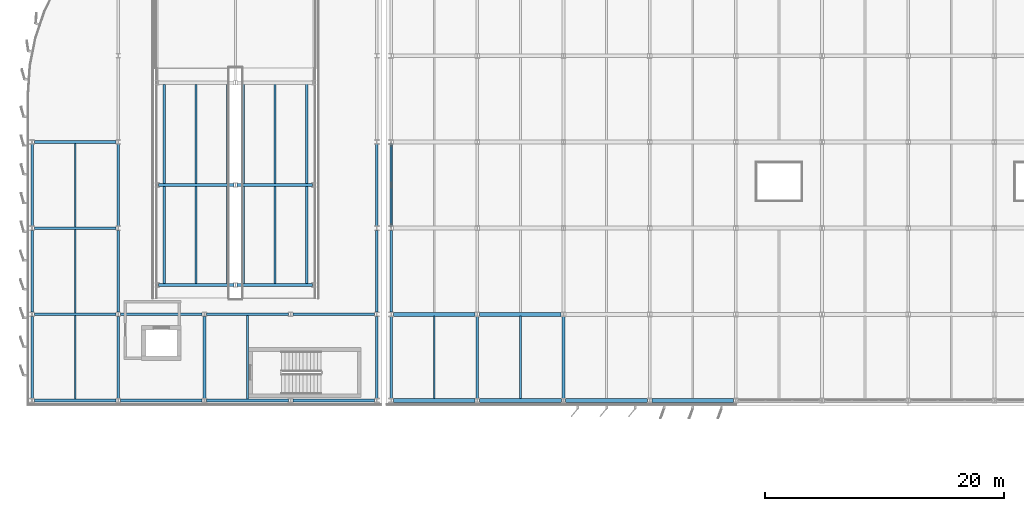
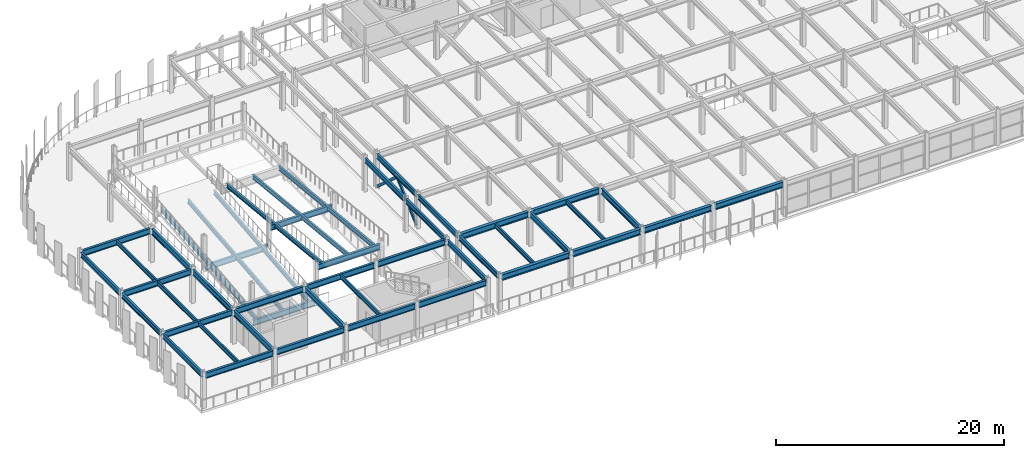
# One storey, part 16 of 80: 47 beams, 2 members.
"""IFC4 building model written with IfcOpenShell, lengths in metres."""

from ifc_helpers import new_model, si_unit, direction, frame, origin, origin_2d, place, context, subcontext, project, spatial, hollow_rectangle, i_section, extrude, material, material_profile, profile_set, type_object, element, save


model = new_model("IFC4")

# Units and contexts
model_context = context("Model", 3, precision=1e-05, world=origin(), true_north=direction((0.0, 1.0)))
body_context = subcontext(model_context, "Body", "Model", "MODEL_VIEW")
ifc_project = project(units=[si_unit("LENGTHUNIT", "METRE"), si_unit("AREAUNIT", "SQUARE_METRE"), si_unit("VOLUMEUNIT", "CUBIC_METRE"), si_unit("PLANEANGLEUNIT", "RADIAN"), si_unit("MASSUNIT", "GRAM", prefix="KILO")], contexts=[model_context])

# Site, building, storey
site_placement = place(None, origin())
site = spatial("IfcSite", under=ifc_project, at=site_placement, CompositionType="ELEMENT")
building_placement = place(site_placement, origin())
building = spatial("IfcBuilding", under=site, at=building_placement, Name="Vaelcorin Mobility Hub", CompositionType="ELEMENT")
storey_placement = place(building_placement, frame((0.0, 0.0, 9.300048828125)))
storey = spatial("IfcBuildingStorey", under=building, at=storey_placement, Name="L02", CompositionType="ELEMENT", Elevation=9.300048828125)

# Beams
ifc_material_1 = material(Name="Steel ASTM A992 Grade 50", Category="steel")
ifc_material_profile_1 = material_profile(ifc_material_1, i_section(OverallWidth=0.152099609375, OverallDepth=0.455078125, WebThickness=0.008056640625, FlangeThickness=0.01318359375, FilletRadius=0.012939453125, at=origin_2d()), Name="W18X40")
ifc_profile_set_1 = profile_set([ifc_material_profile_1], Name="Steel ASTM A992 Grade 50")
beam_type_1 = type_object("IfcBeamType", Name="BM-W18X40", PredefinedType="JOIST", material=ifc_profile_set_1)
for number, where, z_axis, x_axis, name in (
    (1, (9.60009765625, 76.912109375, 3.421875), (0.0, 1.0, 0.0), (-1.0, 0.0, 0.0), "L02 Beam V2W-L02-J-01-01-1"),
    (2, (9.60009765625, 84.112060546875, 3.421875), (0.0, 1.0, 0.0), (-1.0, 0.0, 0.0), "L02 Beam V2W-L02-J-01-02-1"),
):
    element("IfcBeam", number, at=place(storey_placement, frame(where, z_axis=z_axis, x_axis=x_axis)), inside=storey, type_object=beam_type_1, Name=name, PredefinedType="JOIST", context=body_context, shape_type="SweptSolid", body=[
        extrude(i_section(OverallWidth=0.152099609375, OverallDepth=0.455078125, WebThickness=0.008056640625, FlangeThickness=0.01318359375, FilletRadius=0.012939453125, at=origin_2d()), origin(), (0.0, 0.0, 1.0), 6.975830078125),
    ])
beam_1_placement = place(storey_placement, frame((9.60009765625, 91.31201171875, 3.421875), z_axis=(0.0, 1.0, 0.0), x_axis=(-1.0, 0.0, 0.0)))
element("IfcBeam", 3, at=beam_1_placement, inside=storey, type_object=beam_type_1, Name="L02 Beam V2W-L02-J-01-03-1", PredefinedType="JOIST", context=body_context, shape_type="SweptSolid", body=[
    extrude(i_section(OverallWidth=0.152099609375, OverallDepth=0.455078125, WebThickness=0.008056640625, FlangeThickness=0.01318359375, FilletRadius=0.012939453125, at=origin_2d()), origin(), (0.0, 0.0, 1.0), 6.97607421875),
])
beam_2_placement = place(storey_placement, frame((24.0, 76.912109375, 3.421875), z_axis=(0.0, 1.0, 0.0), x_axis=(-1.0, 0.0, 0.0)))
element("IfcBeam", 4, at=beam_2_placement, inside=storey, type_object=beam_type_1, Name="L02 Beam V2W-L02-J-03-01-1", PredefinedType="JOIST", context=body_context, shape_type="SweptSolid", body=[
    extrude(i_section(OverallWidth=0.152099609375, OverallDepth=0.455078125, WebThickness=0.008056640625, FlangeThickness=0.01318359375, FilletRadius=0.012939453125, at=origin_2d()), origin(), (0.0, 0.0, 1.0), 6.975830078125),
])
ifc_material_profile_2 = material_profile(ifc_material_1, i_section(OverallWidth=0.154052734375, OverallDepth=0.45703125, WebThickness=0.009033203125, FlangeThickness=0.015380859375, FilletRadius=0.012939453125, at=origin_2d()), Name="W18X46")
ifc_profile_set_2 = profile_set([ifc_material_profile_2], Name="Steel ASTM A992 Grade 50")
beam_type_2 = type_object("IfcBeamType", Name="BM-W18X46", PredefinedType="JOIST", material=ifc_profile_set_2)
for number, where, z_axis, x_axis, name in (
    (5, (39.60009765625, 76.9599609375, 3.4619140625), (0.0, 1.0, 0.0), (-1.0, 0.0, 0.0), "L02 Beam V4-L02-J-01-01-1"),
    (6, (46.800048828125, 76.9599609375, 3.4619140625), (0.0, 1.0, 0.0), (-1.0, 0.0, 0.0), "L02 Beam V4-L02-J-02-01-1"),
):
    element("IfcBeam", number, at=place(storey_placement, frame(where, z_axis=z_axis, x_axis=x_axis)), inside=storey, type_object=beam_type_2, Name=name, PredefinedType="JOIST", context=body_context, shape_type="SweptSolid", body=[
        extrude(i_section(OverallWidth=0.154052734375, OverallDepth=0.45703125, WebThickness=0.009033203125, FlangeThickness=0.015380859375, FilletRadius=0.012939453125, at=origin_2d()), origin(), (0.0, 0.0, 1.0), 6.880126953125),
    ])
ifc_material_profile_3 = material_profile(ifc_material_1, i_section(OverallWidth=0.19091796875, OverallDepth=0.4599609375, WebThickness=0.010009765625, FlangeThickness=0.01611328125, FilletRadius=0.012939453125, at=origin_2d()), Name="W18X55")
ifc_profile_set_3 = profile_set([ifc_material_profile_3], Name="Steel ASTM A992 Grade 50")
beam_type_3 = type_object("IfcBeamType", Name="BM-W18X55", PredefinedType="JOIST", material=ifc_profile_set_3)
for number, where, z_axis, x_axis, name in (
    (7, (17.050048828125, 86.56005859375, -0.39111328125), (0.0, 0.994870153846, 0.101160155132), (-1.0, 0.0, 0.0), "Vehicle Ramp VR-1 L02 Flight 1 Stringer 1"),
    (8, (19.699951171875, 86.56005859375, -0.39111328125), (0.0, 0.994870153846, 0.101160155132), (-1.0, 0.0, 0.0), "Vehicle Ramp VR-1 L02 Flight 1 Stringer 2"),
    (9, (22.35009765625, 86.56005859375, -0.39111328125), (0.0, 0.994870153846, 0.101160155132), (-1.0, 0.0, 0.0), "Vehicle Ramp VR-1 L02 Flight 1 Stringer 3"),
    (10, (23.64990234375, 103.239990234375, 1.570068359375), (0.0, -0.994877478828, 0.101088090895), (1.0, 0.0, 0.0), "Vehicle Ramp VR-1 L02 Flight 2 Stringer 1"),
    (11, (26.300048828125, 103.239990234375, 1.570068359375), (0.0, -0.994877478828, 0.101088090895), (1.0, 0.0, 0.0), "Vehicle Ramp VR-1 L02 Flight 2 Stringer 2"),
    (12, (28.949951171875, 103.239990234375, 1.570068359375), (0.0, -0.994877478828, 0.101088090895), (1.0, 0.0, 0.0), "Vehicle Ramp VR-1 L02 Flight 2 Stringer 3"),
):
    element("IfcBeam", number, at=place(storey_placement, frame(where, z_axis=z_axis, x_axis=x_axis)), inside=storey, type_object=beam_type_3, Name=name, PredefinedType="JOIST", context=body_context, shape_type="SweptSolid", body=[
        extrude(i_section(OverallWidth=0.19091796875, OverallDepth=0.4599609375, WebThickness=0.010009765625, FlangeThickness=0.01611328125, FilletRadius=0.012939453125, at=origin_2d()), origin(), (0.0, 0.0, 1.0), 16.765869140625),
    ])
ifc_material_profile_4 = material_profile(ifc_material_1, i_section(OverallWidth=0.2099609375, OverallDepth=0.535888671875, WebThickness=0.010986328125, FlangeThickness=0.017333984375, FilletRadius=0.013916015625, at=origin_2d()), Name="W21X68")
ifc_profile_set_4 = profile_set([ifc_material_profile_4], Name="Steel ASTM A992 Grade 50")
beam_type_4 = type_object("IfcBeamType", Name="BM-W21X68", PredefinedType="SPANDREL", material=ifc_profile_set_4)
for number, where, z_axis, x_axis, name in (
    (13, (36.0, 76.98388671875, 3.421875), (0.0, 1.0, 0.0), (-1.0, 0.0, 0.0), "L02 Beam V4-L02-GY-01-01"),
    (14, (36.0, 84.18798828125, 3.421875), (0.0, 1.0, 0.0), (-1.0, 0.0, 0.0), "L02 Beam V4-L02-GY-01-02"),
):
    element("IfcBeam", number, at=place(storey_placement, frame(where, z_axis=z_axis, x_axis=x_axis)), inside=storey, type_object=beam_type_4, Name=name, PredefinedType="SPANDREL", context=body_context, shape_type="SweptSolid", body=[
        extrude(i_section(OverallWidth=0.2099609375, OverallDepth=0.535888671875, WebThickness=0.010986328125, FlangeThickness=0.017333984375, FilletRadius=0.013916015625, at=origin_2d()), origin(), (0.0, 0.0, 1.0), 6.828125),
    ])
beam_3_placement = place(storey_placement, frame((36.0, 91.384033203125, 3.421875), z_axis=(0.0, 1.0, 0.0), x_axis=(-1.0, 0.0, 0.0)))
element("IfcBeam", 15, at=beam_3_placement, inside=storey, type_object=beam_type_4, Name="L02 Beam V4-L02-GY-01-03", PredefinedType="SPANDREL", context=body_context, shape_type="SweptSolid", body=[
    extrude(i_section(OverallWidth=0.2099609375, OverallDepth=0.535888671875, WebThickness=0.010986328125, FlangeThickness=0.017333984375, FilletRadius=0.013916015625, at=origin_2d()), origin(), (0.0, 0.0, 1.0), 6.83203125),
])
for number, where, z_axis, x_axis, name in (
    (16, (6.0, 76.97998046875, 3.3818359375), (0.0, 1.0, 0.0), (-1.0, 0.0, 0.0), "L02 Beam V2W-L02-GY-01-01"),
    (17, (6.0, 84.179931640625, 3.3818359375), (0.0, 1.0, 0.0), (-1.0, 0.0, 0.0), "L02 Beam V2W-L02-GY-01-02"),
    (18, (6.0, 91.3798828125, 3.3818359375), (0.0, 1.0, 0.0), (-1.0, 0.0, 0.0), "L02 Beam V2W-L02-GY-01-03"),
    (19, (34.800048828125, 76.97998046875, 3.3818359375), (0.0, 1.0, 0.0), (-1.0, 0.0, 0.0), "L02 Beam V2W-L02-GY-05-01"),
    (20, (34.800048828125, 84.179931640625, 3.3818359375), (0.0, 1.0, 0.0), (-1.0, 0.0, 0.0), "L02 Beam V2W-L02-GY-05-02"),
    (21, (34.800048828125, 91.3798828125, 3.3818359375), (0.0, 1.0, 0.0), (-1.0, 0.0, 0.0), "L02 Beam V2W-L02-GY-05-03"),
):
    element("IfcBeam", number, at=place(storey_placement, frame(where, z_axis=z_axis, x_axis=x_axis)), inside=storey, type_object=beam_type_4, Name=name, PredefinedType="SPANDREL", context=body_context, shape_type="SweptSolid", body=[
        extrude(i_section(OverallWidth=0.2099609375, OverallDepth=0.535888671875, WebThickness=0.010986328125, FlangeThickness=0.017333984375, FilletRadius=0.013916015625, at=origin_2d()), origin(), (0.0, 0.0, 1.0), 6.840087890625),
    ])
ifc_material_profile_5 = material_profile(ifc_material_1, i_section(OverallWidth=0.324951171875, OverallDepth=0.612060546875, WebThickness=0.0126953125, FlangeThickness=0.01904296875, FilletRadius=0.014892578125, at=origin_2d()), Name="W24X104")
ifc_profile_set_5 = profile_set([ifc_material_profile_5], Name="Steel ASTM A992 Grade 50")
beam_type_5 = type_object("IfcBeamType", Name="BM-W24X104", PredefinedType="BEAM", material=ifc_profile_set_5)
for number, where, z_axis, x_axis, name in (
    (22, (36.18408203125, 76.800048828125, 3.384033203125), (1.0, 0.0, 0.0), (0.0, 1.0, 0.0), "L02 Beam V4-L02-GX-01-01"),
    (23, (43.384033203125, 76.800048828125, 3.384033203125), (1.0, 0.0, 0.0), (0.0, 1.0, 0.0), "L02 Beam V4-L02-GX-01-02"),
    (24, (50.583984375, 76.800048828125, 3.384033203125), (1.0, 0.0, 0.0), (0.0, 1.0, 0.0), "L02 Beam V4-L02-GX-01-03"),
    (25, (57.783935546875, 76.800048828125, 3.384033203125), (1.0, 0.0, 0.0), (0.0, 1.0, 0.0), "L02 Beam V4-L02-GX-01-04"),
):
    element("IfcBeam", number, at=place(storey_placement, frame(where, z_axis=z_axis, x_axis=x_axis)), inside=storey, type_object=beam_type_5, Name=name, PredefinedType="BEAM", context=body_context, shape_type="SweptSolid", body=[
        extrude(i_section(OverallWidth=0.324951171875, OverallDepth=0.612060546875, WebThickness=0.0126953125, FlangeThickness=0.01904296875, FilletRadius=0.014892578125, at=origin_2d()), origin(), (0.0, 0.0, 1.0), 6.83203125),
    ])
beam_4_placement = place(storey_placement, frame((36.196044921875, 84.0, 3.384033203125), z_axis=(1.0, 0.0, 0.0), x_axis=(0.0, 1.0, 0.0)))
element("IfcBeam", 26, at=beam_4_placement, inside=storey, type_object=beam_type_5, Name="L02 Beam V4-L02-GX-02-01", PredefinedType="BEAM", context=body_context, shape_type="SweptSolid", body=[
    extrude(i_section(OverallWidth=0.324951171875, OverallDepth=0.612060546875, WebThickness=0.0126953125, FlangeThickness=0.01904296875, FilletRadius=0.014892578125, at=origin_2d()), origin(), (0.0, 0.0, 1.0), 6.807861328125),
])
beam_5_placement = place(storey_placement, frame((43.39599609375, 84.0, 3.384033203125), z_axis=(1.0, 0.0, 0.0), x_axis=(0.0, 1.0, 0.0)))
element("IfcBeam", 27, at=beam_5_placement, inside=storey, type_object=beam_type_5, Name="L02 Beam V4-L02-GX-02-02", PredefinedType="BEAM", context=body_context, shape_type="SweptSolid", body=[
    extrude(i_section(OverallWidth=0.324951171875, OverallDepth=0.612060546875, WebThickness=0.0126953125, FlangeThickness=0.01904296875, FilletRadius=0.014892578125, at=origin_2d()), origin(), (0.0, 0.0, 1.0), 6.80810546875),
])
ifc_material_profile_6 = material_profile(ifc_material_1, i_section(OverallWidth=0.22802734375, OverallDepth=0.60205078125, WebThickness=0.010498046875, FlangeThickness=0.014892578125, FilletRadius=0.014892578125, at=origin_2d()), Name="W24X68")
ifc_profile_set_6 = profile_set([ifc_material_profile_6], Name="Steel ASTM A992 Grade 50")
beam_type_6 = type_object("IfcBeamType", Name="BM-W24X68", PredefinedType="SPANDREL", material=ifc_profile_set_6)
for number, where, z_axis, x_axis, name in (
    (28, (6.18408203125, 76.800048828125, 3.348876953125), (1.0, 0.0, 0.0), (0.0, 1.0, 0.0), "L02 Beam V2W-L02-GX-01-01"),
    (29, (13.384033203125, 76.800048828125, 3.348876953125), (1.0, 0.0, 0.0), (0.0, 1.0, 0.0), "L02 Beam V2W-L02-GX-01-02"),
):
    element("IfcBeam", number, at=place(storey_placement, frame(where, z_axis=z_axis, x_axis=x_axis)), inside=storey, type_object=beam_type_6, Name=name, PredefinedType="SPANDREL", context=body_context, shape_type="SweptSolid", body=[
        extrude(i_section(OverallWidth=0.22802734375, OverallDepth=0.60205078125, WebThickness=0.010498046875, FlangeThickness=0.014892578125, FilletRadius=0.014892578125, at=origin_2d()), origin(), (0.0, 0.0, 1.0), 6.83203125),
    ])
beam_6_placement = place(storey_placement, frame((20.5830078125, 76.800048828125, 3.348876953125), z_axis=(1.0, 0.0, 0.0), x_axis=(0.0, 1.0, 0.0)))
element("IfcBeam", 30, at=beam_6_placement, inside=storey, type_object=beam_type_6, Name="L02 Beam V2W-L02-GX-01-03", PredefinedType="SPANDREL", context=body_context, shape_type="SweptSolid", body=[
    extrude(i_section(OverallWidth=0.22802734375, OverallDepth=0.60205078125, WebThickness=0.010498046875, FlangeThickness=0.014892578125, FilletRadius=0.014892578125, at=origin_2d()), origin(), (0.0, 0.0, 1.0), 6.833984375),
])
beam_7_placement = place(storey_placement, frame((27.783935546875, 76.800048828125, 3.348876953125), z_axis=(1.0, 0.0, 0.0), x_axis=(0.0, 1.0, 0.0)))
element("IfcBeam", 31, at=beam_7_placement, inside=storey, type_object=beam_type_6, Name="L02 Beam V2W-L02-GX-01-04", PredefinedType="SPANDREL", context=body_context, shape_type="SweptSolid", body=[
    extrude(i_section(OverallWidth=0.22802734375, OverallDepth=0.60205078125, WebThickness=0.010498046875, FlangeThickness=0.014892578125, FilletRadius=0.014892578125, at=origin_2d()), origin(), (0.0, 0.0, 1.0), 6.83203125),
])
ifc_material_profile_7 = material_profile(ifc_material_1, i_section(OverallWidth=0.22900390625, OverallDepth=0.612060546875, WebThickness=0.011962890625, FlangeThickness=0.01953125, FilletRadius=0.014892578125, at=origin_2d()), Name="W24X84")
ifc_profile_set_7 = profile_set([ifc_material_profile_7], Name="Steel ASTM A992 Grade 50")
beam_type_7 = type_object("IfcBeamType", Name="BM-W24X84", PredefinedType="BEAM", material=ifc_profile_set_7)
for number, where, z_axis, x_axis, name in (
    (32, (43.199951171875, 76.98388671875, 3.384033203125), (0.0, 1.0, 0.0), (-1.0, 0.0, 0.0), "L02 Beam V4-L02-GY-02-01"),
    (33, (50.39990234375, 76.98388671875, 3.384033203125), (0.0, 1.0, 0.0), (-1.0, 0.0, 0.0), "L02 Beam V4-L02-GY-03-01"),
):
    element("IfcBeam", number, at=place(storey_placement, frame(where, z_axis=z_axis, x_axis=x_axis)), inside=storey, type_object=beam_type_7, Name=name, PredefinedType="BEAM", context=body_context, shape_type="SweptSolid", body=[
        extrude(i_section(OverallWidth=0.22900390625, OverallDepth=0.612060546875, WebThickness=0.011962890625, FlangeThickness=0.01953125, FilletRadius=0.014892578125, at=origin_2d()), origin(), (0.0, 0.0, 1.0), 6.828125),
    ])
for number, where, z_axis, x_axis, name in (
    (34, (6.18408203125, 84.0, 3.343994140625), (1.0, 0.0, 0.0), (0.0, 1.0, 0.0), "L02 Beam V2W-L02-GX-02-01"),
    (35, (13.384033203125, 84.0, 3.343994140625), (1.0, 0.0, 0.0), (0.0, 1.0, 0.0), "L02 Beam V2W-L02-GX-02-02"),
):
    element("IfcBeam", number, at=place(storey_placement, frame(where, z_axis=z_axis, x_axis=x_axis)), inside=storey, type_object=beam_type_7, Name=name, PredefinedType="BEAM", context=body_context, shape_type="SweptSolid", body=[
        extrude(i_section(OverallWidth=0.22900390625, OverallDepth=0.612060546875, WebThickness=0.011962890625, FlangeThickness=0.01953125, FilletRadius=0.014892578125, at=origin_2d()), origin(), (0.0, 0.0, 1.0), 6.83203125),
    ])
beam_8_placement = place(storey_placement, frame((20.5830078125, 84.0, 3.343994140625), z_axis=(1.0, 0.0, 0.0), x_axis=(0.0, 1.0, 0.0)))
element("IfcBeam", 36, at=beam_8_placement, inside=storey, type_object=beam_type_7, Name="L02 Beam V2W-L02-GX-02-03", PredefinedType="BEAM", context=body_context, shape_type="SweptSolid", body=[
    extrude(i_section(OverallWidth=0.22900390625, OverallDepth=0.612060546875, WebThickness=0.011962890625, FlangeThickness=0.01953125, FilletRadius=0.014892578125, at=origin_2d()), origin(), (0.0, 0.0, 1.0), 6.833984375),
])
for number, where, z_axis, x_axis, name in (
    (37, (27.783935546875, 84.0, 3.343994140625), (1.0, 0.0, 0.0), (0.0, 1.0, 0.0), "L02 Beam V2W-L02-GX-02-04"),
    (38, (6.18408203125, 91.199951171875, 3.343994140625), (1.0, 0.0, 0.0), (0.0, 1.0, 0.0), "L02 Beam V2W-L02-GX-03-01"),
    (39, (6.18408203125, 98.39990234375, 3.343994140625), (1.0, 0.0, 0.0), (0.0, 1.0, 0.0), "L02 Beam V2W-L02-GX-04-01"),
):
    element("IfcBeam", number, at=place(storey_placement, frame(where, z_axis=z_axis, x_axis=x_axis)), inside=storey, type_object=beam_type_7, Name=name, PredefinedType="BEAM", context=body_context, shape_type="SweptSolid", body=[
        extrude(i_section(OverallWidth=0.22900390625, OverallDepth=0.612060546875, WebThickness=0.011962890625, FlangeThickness=0.01953125, FilletRadius=0.014892578125, at=origin_2d()), origin(), (0.0, 0.0, 1.0), 6.83203125),
    ])
for number, where, z_axis, x_axis, name in (
    (40, (13.199951171875, 76.97998046875, 3.343994140625), (0.0, 1.0, 0.0), (-1.0, 0.0, 0.0), "L02 Beam V2W-L02-GY-02-01"),
    (41, (13.199951171875, 84.179931640625, 3.343994140625), (0.0, 1.0, 0.0), (-1.0, 0.0, 0.0), "L02 Beam V2W-L02-GY-02-02"),
    (42, (13.199951171875, 91.3798828125, 3.343994140625), (0.0, 1.0, 0.0), (-1.0, 0.0, 0.0), "L02 Beam V2W-L02-GY-02-03"),
    (43, (20.39990234375, 76.97998046875, 3.343994140625), (0.0, 1.0, 0.0), (-1.0, 0.0, 0.0), "L02 Beam V2W-L02-GY-03-01"),
):
    element("IfcBeam", number, at=place(storey_placement, frame(where, z_axis=z_axis, x_axis=x_axis)), inside=storey, type_object=beam_type_7, Name=name, PredefinedType="BEAM", context=body_context, shape_type="SweptSolid", body=[
        extrude(i_section(OverallWidth=0.22900390625, OverallDepth=0.612060546875, WebThickness=0.011962890625, FlangeThickness=0.01953125, FilletRadius=0.014892578125, at=origin_2d()), origin(), (0.0, 0.0, 1.0), 6.840087890625),
    ])
for number, where, z_axis, x_axis, name in (
    (44, (16.580078125, 86.449951171875, -0.4990234375), (1.0, 0.0, 0.0), (0.0, 1.0, 0.0), "Vehicle Ramp VR-1 L02 Bent Girder F1S"),
    (45, (16.580078125, 94.800048828125, 0.349853515625), (1.0, 0.0, 0.0), (0.0, 1.0, 0.0), "Vehicle Ramp VR-1 L02 Bent Girder F1M"),
    (46, (23.1298828125, 94.800048828125, 2.3310546875), (1.0, 0.0, 0.0), (0.0, 1.0, 0.0), "Vehicle Ramp VR-1 L02 Bent Girder F2M"),
    (47, (23.1298828125, 86.449951171875, 3.179931640625), (1.0, 0.0, 0.0), (0.0, 1.0, 0.0), "Vehicle Ramp VR-1 L02 Bent Girder F2S"),
):
    element("IfcBeam", number, at=place(storey_placement, frame(where, z_axis=z_axis, x_axis=x_axis)), inside=storey, type_object=beam_type_7, Name=name, PredefinedType="BEAM", context=body_context, shape_type="SweptSolid", body=[
        extrude(i_section(OverallWidth=0.22900390625, OverallDepth=0.612060546875, WebThickness=0.011962890625, FlangeThickness=0.01953125, FilletRadius=0.014892578125, at=origin_2d()), origin(), (0.0, 0.0, 1.0), 6.2900390625),
    ])

# Members
ifc_material_2 = material(Name="Steel ASTM A500 Grade C", Category="steel")
ifc_material_profile_8 = material_profile(ifc_material_2, hollow_rectangle(XDim=0.15234375, YDim=0.25390625, WallThickness=0.01171875, at=origin_2d()), Name="HSS10X6X0.500")
ifc_profile_set_8 = profile_set([ifc_material_profile_8], Name="Steel ASTM A500 Grade C")
member_type = type_object("IfcMemberType", Name="BR-SCBF-10X6", PredefinedType="BRACE", material=ifc_profile_set_8)
member_1_placement = place(storey_placement, frame((36.0, 91.389892578125, 0.179931640625), z_axis=(0.0, 0.74319360332, 0.669076429106), x_axis=(-1.0, 0.0, 0.0)))
element("IfcMember", 48, at=member_1_placement, inside=storey, type_object=member_type, Name="SCBF Chevron Brace V4-BY1-L02-A", PredefinedType="BRACE", context=body_context, shape_type="SweptSolid", body=[
    extrude(hollow_rectangle(XDim=0.15234375, YDim=0.25390625, WallThickness=0.01171875, at=origin_2d()), origin(), (0.0, 0.0, 1.0), 4.588623046875),
])
member_2_placement = place(storey_placement, frame((36.0, 98.2099609375, 0.179931640625), z_axis=(0.0, -0.743169783144, 0.669102887022), x_axis=(1.0, 0.0, 0.0)))
element("IfcMember", 49, at=member_2_placement, inside=storey, type_object=member_type, Name="SCBF Chevron Brace V4-BY1-L02-B", PredefinedType="BRACE", context=body_context, shape_type="SweptSolid", body=[
    extrude(hollow_rectangle(XDim=0.15234375, YDim=0.25390625, WallThickness=0.01171875, at=origin_2d()), origin(), (0.0, 0.0, 1.0), 4.58837890625),
])

save(model, "model.ifc")
